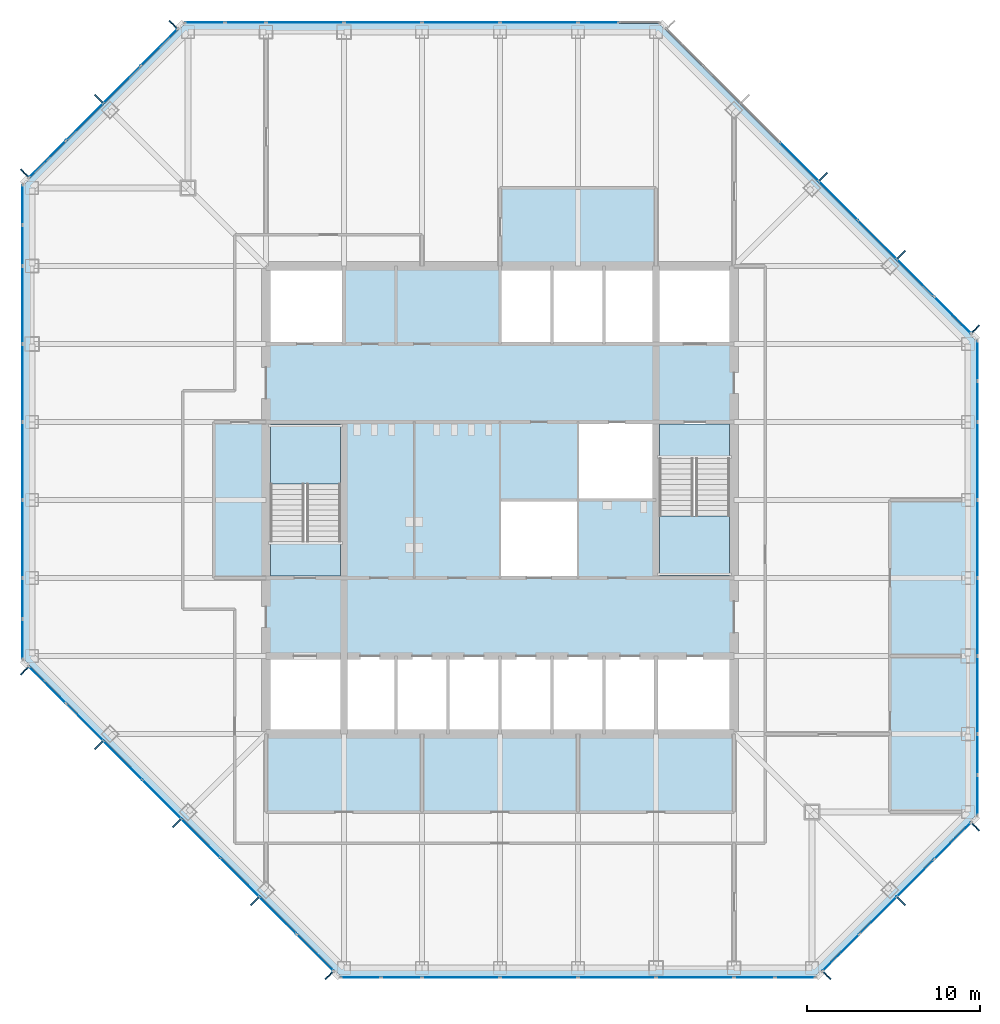
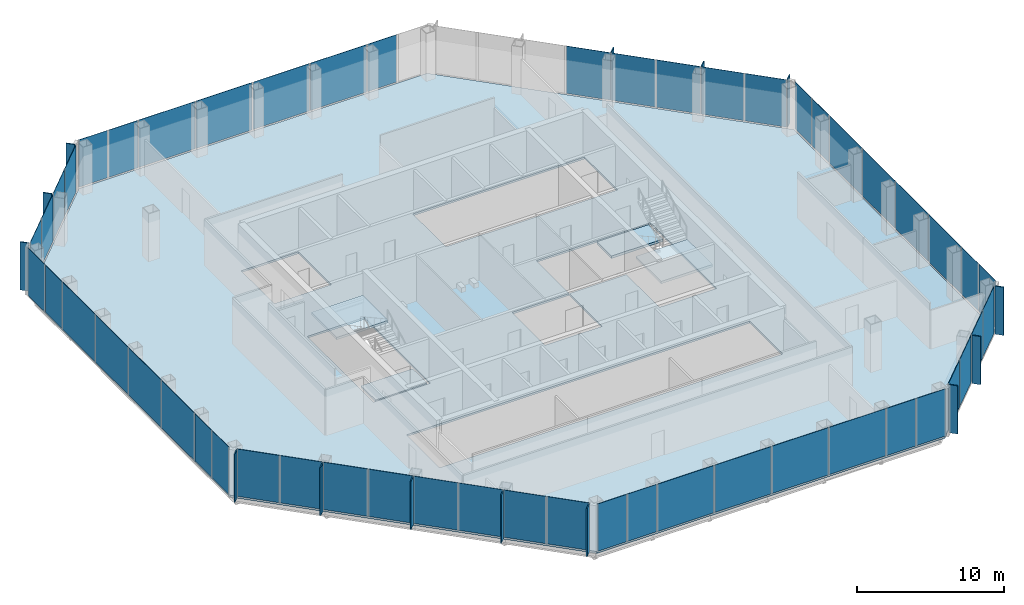
# One storey, part 7 of 12: 66 plates, 5 slabs, 10 elements without a shape of their own.
"""IFC4 building model written with IfcOpenShell, lengths in metres."""

from ifc_helpers import new_model, si_unit, direction, frame, origin, origin_2d, place, context, subcontext, project, spatial, polyline, rectangle, outline, extrude, material, layer, layer_set, type_object, element, aggregate, save


model = new_model("IFC4")

# Units and contexts
model_context = context("Model", 3, precision=1e-05, world=origin(), true_north=direction((0.0, 1.0)))
body_context = subcontext(model_context, "Body", "Model", "MODEL_VIEW")
ifc_project = project(units=[si_unit("LENGTHUNIT", "METRE"), si_unit("AREAUNIT", "SQUARE_METRE"), si_unit("VOLUMEUNIT", "CUBIC_METRE"), si_unit("PLANEANGLEUNIT", "RADIAN"), si_unit("MASSUNIT", "GRAM", prefix="KILO")], contexts=[model_context])

# Site, building, storey
site_placement = place(None, origin())
site = spatial("IfcSite", under=ifc_project, at=site_placement, CompositionType="ELEMENT")
building_placement = place(site_placement, origin())
building = spatial("IfcBuilding", under=site, at=building_placement, Name="Corais Broadcast Tower", CompositionType="ELEMENT")
storey_placement = place(building_placement, frame((0.0, 0.0, 135.60009765625)))
storey = spatial("IfcBuildingStorey", under=building, at=storey_placement, Name="L30", CompositionType="ELEMENT", Elevation=135.60009765625)

# Slab
ifc_material_1 = material(Name="Concrete C30/37", Category="concrete")
ifc_layer_1 = layer(ifc_material_1, 0.159912109375)
ifc_layer_set_1 = layer_set([ifc_layer_1], Name="Concrete C30/37")
slab_type_1 = type_object("IfcSlabType", Name="Composite floor slab 160", PredefinedType="FLOOR", material=ifc_layer_set_1)
slab_1_placement = place(storey_placement, frame((0.0, 0.0, -0.16015625)))
element("IfcSlab", 1, at=slab_1_placement, inside=storey, type_object=slab_type_1, Name="S160 floor slab L30", PredefinedType="FLOOR", context=body_context, shape_type="SweptSolid", body=[
    extrude(outline(polyline([(17.80126953125, -0.47998046875), (-0.47998046875, 17.80126953125), (-0.47998046875, 45.19873046875), (8.80126953125, 54.47998046875), (36.19873046875, 54.47998046875), (54.47998046875, 36.19873046875), (54.47998046875, 8.80126953125), (45.19873046875, -0.47998046875), (17.80126953125, -0.47998046875)]), holes=[polyline([(13.5, 18.0), (40.5, 18.0), (40.5, 13.5), (13.5, 13.5), (13.5, 18.0)]), polyline([(18.0, 22.5), (13.5, 22.5), (13.5, 31.5), (18.0, 31.5), (18.0, 22.5)]), polyline([(18.0, 36.0), (13.5, 36.0), (13.5, 40.5), (18.0, 40.5), (18.0, 36.0)]), polyline([(31.5, 22.5), (27.0, 22.5), (27.0, 27.0), (31.4951171875, 27.0), (31.4951171875, 27.0048828125), (31.5, 27.0048828125), (31.5, 31.5), (40.5, 31.5), (40.5, 22.5), (36.0, 22.5), (36.0, 27.0), (31.5048828125, 27.0), (31.5048828125, 26.9951171875), (31.5, 26.9951171875), (31.5, 22.5)]), polyline([(27.0, 40.5), (40.5, 40.5), (40.5, 36.0), (27.0, 36.0), (27.0, 40.5)])]), origin(), (0.0, 0.0, 1.0), 0.16015625),
])

# Curtain wall, plates
ifc_material_2 = material(Name="Aluminium and glass", Category="aluminium")
curtain_wall_type = type_object("IfcCurtainWallType", Name="Unitised fritted curtain wall CW2", PredefinedType="NOTDEFINED", material=ifc_material_2)
curtain_wall_1_placement = place(storey_placement, origin())
curtain_wall_1 = element("IfcCurtainWall", 2, at=curtain_wall_1_placement, inside=storey, type_object=curtain_wall_type, Name="CW2 curtain wall L30 1", PredefinedType="NOTDEFINED")
ifc_material_3 = material(Name="Ceramic-fritted laminated glass", Category="glass")
ifc_layer_2 = layer(ifc_material_3, 0.028076171875)
ifc_layer_set_2 = layer_set([ifc_layer_2], Name="Ceramic-fritted laminated glass")
plate_type_1 = type_object("IfcPlateType", Name="Fritted glass panel CW2", PredefinedType="CURTAIN_PANEL", material=ifc_layer_set_2)
plate_1_placement = place(storey_placement, frame((16.330322265625, 0.891845703125, 0.06494140625), z_axis=(0.0, 0.0, 1.0), x_axis=(-0.707106781187, 0.707106781187, 0.0)))
plate_1 = element("IfcPlate", 3, at=plate_1_placement, type_object=plate_type_1, Name="CW2 panel 1", PredefinedType="CURTAIN_PANEL", context=body_context, shape_type="SweptSolid", body=[
    extrude(rectangle(XDim=2.9482421875, YDim=0.028076171875, at=origin_2d()), origin(), (0.0, 0.0, 1.0), 3.93505859375),
])
plate_2_placement = place(storey_placement, frame((11.986083984375, 5.236083984375, 0.06494140625), z_axis=(0.0, 0.0, 1.0), x_axis=(-0.707106781187, 0.707106781187, 0.0)))
plate_2 = element("IfcPlate", 4, at=plate_2_placement, type_object=plate_type_1, Name="CW2 panel 3", PredefinedType="CURTAIN_PANEL", context=body_context, shape_type="SweptSolid", body=[
    extrude(rectangle(XDim=3.116943359375, YDim=0.028076171875, at=origin_2d()), origin(), (0.0, 0.0, 1.0), 3.93505859375),
])
plate_3_placement = place(storey_placement, frame((7.486083984375, 9.736083984375, 0.06494140625), z_axis=(0.0, 0.0, 1.0), x_axis=(-0.707106781187, 0.707106781187, 0.0)))
plate_3 = element("IfcPlate", 5, at=plate_3_placement, type_object=plate_type_1, Name="CW2 panel 5", PredefinedType="CURTAIN_PANEL", context=body_context, shape_type="SweptSolid", body=[
    extrude(rectangle(XDim=3.116943359375, YDim=0.028076171875, at=origin_2d()), origin(), (0.0, 0.0, 1.0), 3.93505859375),
])
plate_4_placement = place(storey_placement, frame((3.0341796875, 14.18798828125, 0.06494140625), z_axis=(0.0, 0.0, 1.0), x_axis=(-0.707106781187, 0.707106781187, 0.0)))
plate_4 = element("IfcPlate", 6, at=plate_4_placement, type_object=plate_type_1, Name="CW2 panel 7", PredefinedType="CURTAIN_PANEL", context=body_context, shape_type="SweptSolid", body=[
    extrude(rectangle(XDim=2.98095703125, YDim=0.028076171875, at=origin_2d()), origin(), (0.0, 0.0, 1.0), 3.93505859375),
])

curtain_wall_2_placement = place(storey_placement, origin())
curtain_wall_2 = element("IfcCurtainWall", 7, at=curtain_wall_2_placement, inside=storey, type_object=curtain_wall_type, Name="CW2 curtain wall L30 2", PredefinedType="NOTDEFINED")
plate_5_placement = place(storey_placement, frame((-0.550048828125, 18.970458984375, 0.06494140625), z_axis=(0.0, 0.0, 1.0), x_axis=(0.0, 1.0, 0.0)))
plate_5 = element("IfcPlate", 8, at=plate_5_placement, type_object=plate_type_1, Name="CW2 panel 1", PredefinedType="CURTAIN_PANEL", context=body_context, shape_type="SweptSolid", body=[
    extrude(rectangle(XDim=2.266357421875, YDim=0.028076171875, at=origin_2d()), origin(), (0.0, 0.0, 1.0), 3.93505859375),
])
plate_6_placement = place(storey_placement, frame((-0.550048828125, 24.75, 0.06494140625), z_axis=(0.0, 0.0, 1.0), x_axis=(0.0, 1.0, 0.0)))
plate_6 = element("IfcPlate", 9, at=plate_6_placement, type_object=plate_type_1, Name="CW2 panel 3", PredefinedType="CURTAIN_PANEL", context=body_context, shape_type="SweptSolid", body=[
    extrude(rectangle(XDim=4.43505859375, YDim=0.028076171875, at=origin_2d()), origin(), (0.0, 0.0, 1.0), 3.93505859375),
])
plate_7_placement = place(storey_placement, frame((-0.550048828125, 33.75, 0.06494140625), z_axis=(0.0, 0.0, 1.0), x_axis=(0.0, 1.0, 0.0)))
plate_7 = element("IfcPlate", 10, at=plate_7_placement, type_object=plate_type_1, Name="CW2 panel 5", PredefinedType="CURTAIN_PANEL", context=body_context, shape_type="SweptSolid", body=[
    extrude(rectangle(XDim=4.43505859375, YDim=0.028076171875, at=origin_2d()), origin(), (0.0, 0.0, 1.0), 3.93505859375),
])
plate_8_placement = place(storey_placement, frame((-0.550048828125, 41.681884765625, 0.06494140625), z_axis=(0.0, 0.0, 1.0), x_axis=(0.0, 1.0, 0.0)))
plate_8 = element("IfcPlate", 11, at=plate_8_placement, type_object=plate_type_1, Name="CW2 panel 7", PredefinedType="CURTAIN_PANEL", context=body_context, shape_type="SweptSolid", body=[
    extrude(rectangle(XDim=2.298828125, YDim=0.028076171875, at=origin_2d()), origin(), (0.0, 0.0, 1.0), 3.93505859375),
])

curtain_wall_3_placement = place(storey_placement, origin())
curtain_wall_3 = element("IfcCurtainWall", 12, at=curtain_wall_3_placement, inside=storey, type_object=curtain_wall_type, Name="CW2 curtain wall L30 3", PredefinedType="NOTDEFINED")
plate_9_placement = place(storey_placement, frame((0.891845703125, 46.669677734375, 0.06494140625), z_axis=(0.0, 0.0, 1.0), x_axis=(0.707106781187, 0.707106781187, 0.0)))
plate_9 = element("IfcPlate", 13, at=plate_9_placement, type_object=plate_type_1, Name="CW2 panel 1", PredefinedType="CURTAIN_PANEL", context=body_context, shape_type="SweptSolid", body=[
    extrude(rectangle(XDim=2.9482421875, YDim=0.028076171875, at=origin_2d()), origin(), (0.0, 0.0, 1.0), 3.93505859375),
])
plate_10_placement = place(storey_placement, frame((5.18798828125, 50.9658203125, 0.06494140625), z_axis=(0.0, 0.0, 1.0), x_axis=(0.707106781187, 0.707106781187, 0.0)))
plate_10 = element("IfcPlate", 14, at=plate_10_placement, type_object=plate_type_1, Name="CW2 panel 3", PredefinedType="CURTAIN_PANEL", context=body_context, shape_type="SweptSolid", body=[
    extrude(rectangle(XDim=2.98095703125, YDim=0.028076171875, at=origin_2d()), origin(), (0.0, 0.0, 1.0), 3.93505859375),
])

curtain_wall_4_placement = place(storey_placement, origin())
curtain_wall_4 = element("IfcCurtainWall", 15, at=curtain_wall_4_placement, inside=storey, type_object=curtain_wall_type, Name="CW2 curtain wall L30 4", PredefinedType="NOTDEFINED")
plate_11_placement = place(storey_placement, frame((9.970458984375, 54.550048828125, 0.06494140625), z_axis=(0.0, 0.0, 1.0), x_axis=(1.0, 0.0, 0.0)))
plate_11 = element("IfcPlate", 16, at=plate_11_placement, type_object=plate_type_1, Name="CW2 panel 1", PredefinedType="CURTAIN_PANEL", context=body_context, shape_type="SweptSolid", body=[
    extrude(rectangle(XDim=2.266357421875, YDim=0.028076171875, at=origin_2d()), origin(), (0.0, 0.0, 1.0), 3.93505859375),
])
plate_12_placement = place(storey_placement, frame((15.75, 54.550048828125, 0.06494140625), z_axis=(0.0, 0.0, 1.0), x_axis=(1.0, 0.0, 0.0)))
plate_12 = element("IfcPlate", 17, at=plate_12_placement, type_object=plate_type_1, Name="CW2 panel 3", PredefinedType="CURTAIN_PANEL", context=body_context, shape_type="SweptSolid", body=[
    extrude(rectangle(XDim=4.43505859375, YDim=0.028076171875, at=origin_2d()), origin(), (0.0, 0.0, 1.0), 3.93505859375),
])
plate_13_placement = place(storey_placement, frame((24.75, 54.550048828125, 0.06494140625), z_axis=(0.0, 0.0, 1.0), x_axis=(1.0, 0.0, 0.0)))
plate_13 = element("IfcPlate", 18, at=plate_13_placement, type_object=plate_type_1, Name="CW2 panel 5", PredefinedType="CURTAIN_PANEL", context=body_context, shape_type="SweptSolid", body=[
    extrude(rectangle(XDim=4.43505859375, YDim=0.028076171875, at=origin_2d()), origin(), (0.0, 0.0, 1.0), 3.93505859375),
])
plate_14_placement = place(storey_placement, frame((32.681884765625, 54.550048828125, 0.06494140625), z_axis=(0.0, 0.0, 1.0), x_axis=(1.0, 0.0, 0.0)))
plate_14 = element("IfcPlate", 19, at=plate_14_placement, type_object=plate_type_1, Name="CW2 panel 7", PredefinedType="CURTAIN_PANEL", context=body_context, shape_type="SweptSolid", body=[
    extrude(rectangle(XDim=2.298828125, YDim=0.028076171875, at=origin_2d()), origin(), (0.0, 0.0, 1.0), 3.93505859375),
])

curtain_wall_5_placement = place(storey_placement, origin())
curtain_wall_5 = element("IfcCurtainWall", 20, at=curtain_wall_5_placement, inside=storey, type_object=curtain_wall_type, Name="CW2 curtain wall L30 5", PredefinedType="NOTDEFINED")
plate_15_placement = place(storey_placement, frame((46.513916015625, 44.263916015625, 0.06494140625), z_axis=(0.0, 0.0, 1.0), x_axis=(0.707106781187, -0.707106781187, 0.0)))
plate_15 = element("IfcPlate", 21, at=plate_15_placement, type_object=plate_type_1, Name="CW2 panel 5", PredefinedType="CURTAIN_PANEL", context=body_context, shape_type="SweptSolid", body=[
    extrude(rectangle(XDim=3.116943359375, YDim=0.028076171875, at=origin_2d()), origin(), (0.0, 0.0, 1.0), 3.93505859375),
])
plate_16_placement = place(storey_placement, frame((50.9658203125, 39.81201171875, 0.06494140625), z_axis=(0.0, 0.0, 1.0), x_axis=(0.707106781187, -0.707106781187, 0.0)))
plate_16 = element("IfcPlate", 22, at=plate_16_placement, type_object=plate_type_1, Name="CW2 panel 7", PredefinedType="CURTAIN_PANEL", context=body_context, shape_type="SweptSolid", body=[
    extrude(rectangle(XDim=2.98095703125, YDim=0.028076171875, at=origin_2d()), origin(), (0.0, 0.0, 1.0), 3.93505859375),
])

curtain_wall_6_placement = place(storey_placement, origin())
curtain_wall_6 = element("IfcCurtainWall", 23, at=curtain_wall_6_placement, inside=storey, type_object=curtain_wall_type, Name="CW2 curtain wall L30 6", PredefinedType="NOTDEFINED")
plate_17_placement = place(storey_placement, frame((54.550048828125, 35.029541015625, 0.06494140625), z_axis=(0.0, 0.0, 1.0), x_axis=(0.0, -1.0, 0.0)))
plate_17 = element("IfcPlate", 24, at=plate_17_placement, type_object=plate_type_1, Name="CW2 panel 1", PredefinedType="CURTAIN_PANEL", context=body_context, shape_type="SweptSolid", body=[
    extrude(rectangle(XDim=2.266357421875, YDim=0.028076171875, at=origin_2d()), origin(), (0.0, 0.0, 1.0), 3.93505859375),
])
plate_18_placement = place(storey_placement, frame((54.550048828125, 29.25, 0.06494140625), z_axis=(0.0, 0.0, 1.0), x_axis=(0.0, -1.0, 0.0)))
plate_18 = element("IfcPlate", 25, at=plate_18_placement, type_object=plate_type_1, Name="CW2 panel 3", PredefinedType="CURTAIN_PANEL", context=body_context, shape_type="SweptSolid", body=[
    extrude(rectangle(XDim=4.43505859375, YDim=0.028076171875, at=origin_2d()), origin(), (0.0, 0.0, 1.0), 3.93505859375),
])
plate_19_placement = place(storey_placement, frame((54.550048828125, 20.25, 0.06494140625), z_axis=(0.0, 0.0, 1.0), x_axis=(0.0, -1.0, 0.0)))
plate_19 = element("IfcPlate", 26, at=plate_19_placement, type_object=plate_type_1, Name="CW2 panel 5", PredefinedType="CURTAIN_PANEL", context=body_context, shape_type="SweptSolid", body=[
    extrude(rectangle(XDim=4.43505859375, YDim=0.028076171875, at=origin_2d()), origin(), (0.0, 0.0, 1.0), 3.93505859375),
])
plate_20_placement = place(storey_placement, frame((54.550048828125, 12.318115234375, 0.06494140625), z_axis=(0.0, 0.0, 1.0), x_axis=(0.0, -1.0, 0.0)))
plate_20 = element("IfcPlate", 27, at=plate_20_placement, type_object=plate_type_1, Name="CW2 panel 7", PredefinedType="CURTAIN_PANEL", context=body_context, shape_type="SweptSolid", body=[
    extrude(rectangle(XDim=2.298828125, YDim=0.028076171875, at=origin_2d()), origin(), (0.0, 0.0, 1.0), 3.93505859375),
])

curtain_wall_7_placement = place(storey_placement, origin())
curtain_wall_7 = element("IfcCurtainWall", 28, at=curtain_wall_7_placement, inside=storey, type_object=curtain_wall_type, Name="CW2 curtain wall L30 7", PredefinedType="NOTDEFINED")
plate_21_placement = place(storey_placement, frame((53.108154296875, 7.330322265625, 0.06494140625), z_axis=(0.0, 0.0, 1.0), x_axis=(-0.707106781187, -0.707106781187, 0.0)))
plate_21 = element("IfcPlate", 29, at=plate_21_placement, type_object=plate_type_1, Name="CW2 panel 1", PredefinedType="CURTAIN_PANEL", context=body_context, shape_type="SweptSolid", body=[
    extrude(rectangle(XDim=2.9482421875, YDim=0.028076171875, at=origin_2d()), origin(), (0.0, 0.0, 1.0), 3.93505859375),
])
plate_22_placement = place(storey_placement, frame((48.81201171875, 3.0341796875, 0.06494140625), z_axis=(0.0, 0.0, 1.0), x_axis=(-0.707106781187, -0.707106781187, 0.0)))
plate_22 = element("IfcPlate", 30, at=plate_22_placement, type_object=plate_type_1, Name="CW2 panel 3", PredefinedType="CURTAIN_PANEL", context=body_context, shape_type="SweptSolid", body=[
    extrude(rectangle(XDim=2.98095703125, YDim=0.028076171875, at=origin_2d()), origin(), (0.0, 0.0, 1.0), 3.93505859375),
])

curtain_wall_8_placement = place(storey_placement, origin())
curtain_wall_8 = element("IfcCurtainWall", 31, at=curtain_wall_8_placement, inside=storey, type_object=curtain_wall_type, Name="CW2 curtain wall L30 8", PredefinedType="NOTDEFINED")
plate_23_placement = place(storey_placement, frame((44.029541015625, -0.550048828125, 0.06494140625), z_axis=(0.0, 0.0, 1.0), x_axis=(-1.0, 0.0, 0.0)))
plate_23 = element("IfcPlate", 32, at=plate_23_placement, type_object=plate_type_1, Name="CW2 panel 1", PredefinedType="CURTAIN_PANEL", context=body_context, shape_type="SweptSolid", body=[
    extrude(rectangle(XDim=2.266357421875, YDim=0.028076171875, at=origin_2d()), origin(), (0.0, 0.0, 1.0), 3.93505859375),
])
plate_24_placement = place(storey_placement, frame((38.25, -0.550048828125, 0.06494140625), z_axis=(0.0, 0.0, 1.0), x_axis=(-1.0, 0.0, 0.0)))
plate_24 = element("IfcPlate", 33, at=plate_24_placement, type_object=plate_type_1, Name="CW2 panel 3", PredefinedType="CURTAIN_PANEL", context=body_context, shape_type="SweptSolid", body=[
    extrude(rectangle(XDim=4.43505859375, YDim=0.028076171875, at=origin_2d()), origin(), (0.0, 0.0, 1.0), 3.93505859375),
])
plate_25_placement = place(storey_placement, frame((29.25, -0.550048828125, 0.06494140625), z_axis=(0.0, 0.0, 1.0), x_axis=(-1.0, 0.0, 0.0)))
plate_25 = element("IfcPlate", 34, at=plate_25_placement, type_object=plate_type_1, Name="CW2 panel 5", PredefinedType="CURTAIN_PANEL", context=body_context, shape_type="SweptSolid", body=[
    extrude(rectangle(XDim=4.43505859375, YDim=0.028076171875, at=origin_2d()), origin(), (0.0, 0.0, 1.0), 3.93505859375),
])
plate_26_placement = place(storey_placement, frame((21.318115234375, -0.550048828125, 0.06494140625), z_axis=(0.0, 0.0, 1.0), x_axis=(-1.0, 0.0, 0.0)))
plate_26 = element("IfcPlate", 35, at=plate_26_placement, type_object=plate_type_1, Name="CW2 panel 7", PredefinedType="CURTAIN_PANEL", context=body_context, shape_type="SweptSolid", body=[
    extrude(rectangle(XDim=2.298828125, YDim=0.028076171875, at=origin_2d()), origin(), (0.0, 0.0, 1.0), 3.93505859375),
])

# Plate
ifc_material_4 = material(Name="Clear laminated glass", Category="glass")
ifc_layer_3 = layer(ifc_material_4, 0.031982421875)
ifc_layer_set_3 = layer_set([ifc_layer_3], Name="Clear laminated glass")
plate_type_2 = type_object("IfcPlateType", Name="Operable glass panel CW2", PredefinedType="CURTAIN_PANEL", material=ifc_layer_set_3)
plate_27_placement = place(storey_placement, frame((14.18798828125, 3.0341796875, 0.06494140625), z_axis=(0.0, 0.0, 1.0), x_axis=(-0.707106781187, 0.707106781187, 0.0)))
plate_27 = element("IfcPlate", 36, at=plate_27_placement, type_object=plate_type_2, Name="CW2 operable panel 2", PredefinedType="CURTAIN_PANEL", context=body_context, shape_type="SweptSolid", body=[
    extrude(rectangle(XDim=2.98095703125, YDim=0.031982421875, at=origin_2d()), origin(), (0.0, 0.0, 1.0), 3.93505859375),
])

plate_28_placement = place(storey_placement, frame((9.736083984375, 7.486083984375, 0.06494140625), z_axis=(0.0, 0.0, 1.0), x_axis=(-0.707106781187, 0.707106781187, 0.0)))
plate_28 = element("IfcPlate", 37, at=plate_28_placement, type_object=plate_type_2, Name="CW2 operable panel 4", PredefinedType="CURTAIN_PANEL", context=body_context, shape_type="SweptSolid", body=[
    extrude(rectangle(XDim=3.116943359375, YDim=0.031982421875, at=origin_2d()), origin(), (0.0, 0.0, 1.0), 3.93505859375),
])

plate_29_placement = place(storey_placement, frame((5.236083984375, 11.986083984375, 0.06494140625), z_axis=(0.0, 0.0, 1.0), x_axis=(-0.707106781187, 0.707106781187, 0.0)))
plate_29 = element("IfcPlate", 38, at=plate_29_placement, type_object=plate_type_2, Name="CW2 operable panel 6", PredefinedType="CURTAIN_PANEL", context=body_context, shape_type="SweptSolid", body=[
    extrude(rectangle(XDim=3.116943359375, YDim=0.031982421875, at=origin_2d()), origin(), (0.0, 0.0, 1.0), 3.93505859375),
])

plate_30_placement = place(storey_placement, frame((0.89208984375, 16.330322265625, 0.06494140625), z_axis=(0.0, 0.0, 1.0), x_axis=(-0.707106781187, 0.707106781187, 0.0)))
plate_30 = element("IfcPlate", 39, at=plate_30_placement, type_object=plate_type_2, Name="CW2 operable panel 8", PredefinedType="CURTAIN_PANEL", context=body_context, shape_type="SweptSolid", body=[
    extrude(rectangle(XDim=2.948486328125, YDim=0.031982421875, at=origin_2d()), origin(), (0.0, 0.0, 1.0), 3.93505859375),
])

aggregate(curtain_wall_1, [plate_1, plate_27, plate_2, plate_28, plate_3, plate_29, plate_4, plate_30])

plate_31_placement = place(storey_placement, frame((-0.550048828125, 21.318115234375, 0.06494140625), z_axis=(0.0, 0.0, 1.0), x_axis=(0.0, 1.0, 0.0)))
plate_31 = element("IfcPlate", 40, at=plate_31_placement, type_object=plate_type_2, Name="CW2 operable panel 2", PredefinedType="CURTAIN_PANEL", context=body_context, shape_type="SweptSolid", body=[
    extrude(rectangle(XDim=2.298828125, YDim=0.031982421875, at=origin_2d()), origin(), (0.0, 0.0, 1.0), 3.93505859375),
])

plate_32_placement = place(storey_placement, frame((-0.550048828125, 29.25, 0.06494140625), z_axis=(0.0, 0.0, 1.0), x_axis=(0.0, 1.0, 0.0)))
plate_32 = element("IfcPlate", 41, at=plate_32_placement, type_object=plate_type_2, Name="CW2 operable panel 4", PredefinedType="CURTAIN_PANEL", context=body_context, shape_type="SweptSolid", body=[
    extrude(rectangle(XDim=4.43505859375, YDim=0.031982421875, at=origin_2d()), origin(), (0.0, 0.0, 1.0), 3.93505859375),
])

plate_33_placement = place(storey_placement, frame((-0.550048828125, 38.25, 0.06494140625), z_axis=(0.0, 0.0, 1.0), x_axis=(0.0, 1.0, 0.0)))
plate_33 = element("IfcPlate", 42, at=plate_33_placement, type_object=plate_type_2, Name="CW2 operable panel 6", PredefinedType="CURTAIN_PANEL", context=body_context, shape_type="SweptSolid", body=[
    extrude(rectangle(XDim=4.43505859375, YDim=0.031982421875, at=origin_2d()), origin(), (0.0, 0.0, 1.0), 3.93505859375),
])

plate_34_placement = place(storey_placement, frame((-0.550048828125, 44.029541015625, 0.06494140625), z_axis=(0.0, 0.0, 1.0), x_axis=(0.0, 1.0, 0.0)))
plate_34 = element("IfcPlate", 43, at=plate_34_placement, type_object=plate_type_2, Name="CW2 operable panel 8", PredefinedType="CURTAIN_PANEL", context=body_context, shape_type="SweptSolid", body=[
    extrude(rectangle(XDim=2.266357421875, YDim=0.031982421875, at=origin_2d()), origin(), (0.0, 0.0, 1.0), 3.93505859375),
])

aggregate(curtain_wall_2, [plate_5, plate_31, plate_6, plate_32, plate_7, plate_33, plate_8, plate_34])

plate_35_placement = place(storey_placement, frame((3.0341796875, 48.81201171875, 0.06494140625), z_axis=(0.0, 0.0, 1.0), x_axis=(0.707106781187, 0.707106781187, 0.0)))
plate_35 = element("IfcPlate", 44, at=plate_35_placement, type_object=plate_type_2, Name="CW2 operable panel 2", PredefinedType="CURTAIN_PANEL", context=body_context, shape_type="SweptSolid", body=[
    extrude(rectangle(XDim=2.98095703125, YDim=0.031982421875, at=origin_2d()), origin(), (0.0, 0.0, 1.0), 3.93505859375),
])

plate_36_placement = place(storey_placement, frame((7.330322265625, 53.10791015625, 0.06494140625), z_axis=(0.0, 0.0, 1.0), x_axis=(0.707106781187, 0.707106781187, 0.0)))
plate_36 = element("IfcPlate", 45, at=plate_36_placement, type_object=plate_type_2, Name="CW2 operable panel 4", PredefinedType="CURTAIN_PANEL", context=body_context, shape_type="SweptSolid", body=[
    extrude(rectangle(XDim=2.948486328125, YDim=0.031982421875, at=origin_2d()), origin(), (0.0, 0.0, 1.0), 3.93505859375),
])

aggregate(curtain_wall_3, [plate_9, plate_35, plate_10, plate_36])

plate_37_placement = place(storey_placement, frame((12.318115234375, 54.550048828125, 0.06494140625), z_axis=(0.0, 0.0, 1.0), x_axis=(1.0, 0.0, 0.0)))
plate_37 = element("IfcPlate", 46, at=plate_37_placement, type_object=plate_type_2, Name="CW2 operable panel 2", PredefinedType="CURTAIN_PANEL", context=body_context, shape_type="SweptSolid", body=[
    extrude(rectangle(XDim=2.298828125, YDim=0.031982421875, at=origin_2d()), origin(), (0.0, 0.0, 1.0), 3.93505859375),
])

plate_38_placement = place(storey_placement, frame((20.25, 54.550048828125, 0.06494140625), z_axis=(0.0, 0.0, 1.0), x_axis=(1.0, 0.0, 0.0)))
plate_38 = element("IfcPlate", 47, at=plate_38_placement, type_object=plate_type_2, Name="CW2 operable panel 4", PredefinedType="CURTAIN_PANEL", context=body_context, shape_type="SweptSolid", body=[
    extrude(rectangle(XDim=4.43505859375, YDim=0.031982421875, at=origin_2d()), origin(), (0.0, 0.0, 1.0), 3.93505859375),
])

plate_39_placement = place(storey_placement, frame((29.25, 54.550048828125, 0.06494140625), z_axis=(0.0, 0.0, 1.0), x_axis=(1.0, 0.0, 0.0)))
plate_39 = element("IfcPlate", 48, at=plate_39_placement, type_object=plate_type_2, Name="CW2 operable panel 6", PredefinedType="CURTAIN_PANEL", context=body_context, shape_type="SweptSolid", body=[
    extrude(rectangle(XDim=4.43505859375, YDim=0.031982421875, at=origin_2d()), origin(), (0.0, 0.0, 1.0), 3.93505859375),
])

aggregate(curtain_wall_4, [plate_11, plate_37, plate_12, plate_38, plate_13, plate_39, plate_14])

plate_40_placement = place(storey_placement, frame((44.263916015625, 46.513916015625, 0.06494140625), z_axis=(0.0, 0.0, 1.0), x_axis=(0.707106781187, -0.707106781187, 0.0)))
plate_40 = element("IfcPlate", 49, at=plate_40_placement, type_object=plate_type_2, Name="CW2 operable panel 4", PredefinedType="CURTAIN_PANEL", context=body_context, shape_type="SweptSolid", body=[
    extrude(rectangle(XDim=3.116943359375, YDim=0.031982421875, at=origin_2d()), origin(), (0.0, 0.0, 1.0), 3.93505859375),
])

plate_41_placement = place(storey_placement, frame((48.763916015625, 42.013916015625, 0.06494140625), z_axis=(0.0, 0.0, 1.0), x_axis=(0.707106781187, -0.707106781187, 0.0)))
plate_41 = element("IfcPlate", 50, at=plate_41_placement, type_object=plate_type_2, Name="CW2 operable panel 6", PredefinedType="CURTAIN_PANEL", context=body_context, shape_type="SweptSolid", body=[
    extrude(rectangle(XDim=3.116943359375, YDim=0.031982421875, at=origin_2d()), origin(), (0.0, 0.0, 1.0), 3.93505859375),
])

plate_42_placement = place(storey_placement, frame((53.10791015625, 37.669677734375, 0.06494140625), z_axis=(0.0, 0.0, 1.0), x_axis=(0.707106781187, -0.707106781187, 0.0)))
plate_42 = element("IfcPlate", 51, at=plate_42_placement, type_object=plate_type_2, Name="CW2 operable panel 8", PredefinedType="CURTAIN_PANEL", context=body_context, shape_type="SweptSolid", body=[
    extrude(rectangle(XDim=2.948486328125, YDim=0.031982421875, at=origin_2d()), origin(), (0.0, 0.0, 1.0), 3.93505859375),
])

aggregate(curtain_wall_5, [plate_40, plate_15, plate_41, plate_16, plate_42])

plate_43_placement = place(storey_placement, frame((54.550048828125, 32.681884765625, 0.06494140625), z_axis=(0.0, 0.0, 1.0), x_axis=(0.0, -1.0, 0.0)))
plate_43 = element("IfcPlate", 52, at=plate_43_placement, type_object=plate_type_2, Name="CW2 operable panel 2", PredefinedType="CURTAIN_PANEL", context=body_context, shape_type="SweptSolid", body=[
    extrude(rectangle(XDim=2.298828125, YDim=0.031982421875, at=origin_2d()), origin(), (0.0, 0.0, 1.0), 3.93505859375),
])

plate_44_placement = place(storey_placement, frame((54.550048828125, 24.75, 0.06494140625), z_axis=(0.0, 0.0, 1.0), x_axis=(0.0, -1.0, 0.0)))
plate_44 = element("IfcPlate", 53, at=plate_44_placement, type_object=plate_type_2, Name="CW2 operable panel 4", PredefinedType="CURTAIN_PANEL", context=body_context, shape_type="SweptSolid", body=[
    extrude(rectangle(XDim=4.43505859375, YDim=0.031982421875, at=origin_2d()), origin(), (0.0, 0.0, 1.0), 3.93505859375),
])

plate_45_placement = place(storey_placement, frame((54.550048828125, 15.75, 0.06494140625), z_axis=(0.0, 0.0, 1.0), x_axis=(0.0, -1.0, 0.0)))
plate_45 = element("IfcPlate", 54, at=plate_45_placement, type_object=plate_type_2, Name="CW2 operable panel 6", PredefinedType="CURTAIN_PANEL", context=body_context, shape_type="SweptSolid", body=[
    extrude(rectangle(XDim=4.43505859375, YDim=0.031982421875, at=origin_2d()), origin(), (0.0, 0.0, 1.0), 3.93505859375),
])

plate_46_placement = place(storey_placement, frame((54.550048828125, 9.970458984375, 0.06494140625), z_axis=(0.0, 0.0, 1.0), x_axis=(0.0, -1.0, 0.0)))
plate_46 = element("IfcPlate", 55, at=plate_46_placement, type_object=plate_type_2, Name="CW2 operable panel 8", PredefinedType="CURTAIN_PANEL", context=body_context, shape_type="SweptSolid", body=[
    extrude(rectangle(XDim=2.266357421875, YDim=0.031982421875, at=origin_2d()), origin(), (0.0, 0.0, 1.0), 3.93505859375),
])

aggregate(curtain_wall_6, [plate_17, plate_43, plate_18, plate_44, plate_19, plate_45, plate_20, plate_46])

plate_47_placement = place(storey_placement, frame((50.9658203125, 5.18798828125, 0.06494140625), z_axis=(0.0, 0.0, 1.0), x_axis=(-0.707106781187, -0.707106781187, 0.0)))
plate_47 = element("IfcPlate", 56, at=plate_47_placement, type_object=plate_type_2, Name="CW2 operable panel 2", PredefinedType="CURTAIN_PANEL", context=body_context, shape_type="SweptSolid", body=[
    extrude(rectangle(XDim=2.98095703125, YDim=0.031982421875, at=origin_2d()), origin(), (0.0, 0.0, 1.0), 3.93505859375),
])

plate_48_placement = place(storey_placement, frame((46.669677734375, 0.89208984375, 0.06494140625), z_axis=(0.0, 0.0, 1.0), x_axis=(-0.707106781187, -0.707106781187, 0.0)))
plate_48 = element("IfcPlate", 57, at=plate_48_placement, type_object=plate_type_2, Name="CW2 operable panel 4", PredefinedType="CURTAIN_PANEL", context=body_context, shape_type="SweptSolid", body=[
    extrude(rectangle(XDim=2.948486328125, YDim=0.031982421875, at=origin_2d()), origin(), (0.0, 0.0, 1.0), 3.93505859375),
])

aggregate(curtain_wall_7, [plate_21, plate_47, plate_22, plate_48])

plate_49_placement = place(storey_placement, frame((41.681884765625, -0.550048828125, 0.06494140625), z_axis=(0.0, 0.0, 1.0), x_axis=(-1.0, 0.0, 0.0)))
plate_49 = element("IfcPlate", 58, at=plate_49_placement, type_object=plate_type_2, Name="CW2 operable panel 2", PredefinedType="CURTAIN_PANEL", context=body_context, shape_type="SweptSolid", body=[
    extrude(rectangle(XDim=2.298828125, YDim=0.031982421875, at=origin_2d()), origin(), (0.0, 0.0, 1.0), 3.93505859375),
])

plate_50_placement = place(storey_placement, frame((33.75, -0.550048828125, 0.06494140625), z_axis=(0.0, 0.0, 1.0), x_axis=(-1.0, 0.0, 0.0)))
plate_50 = element("IfcPlate", 59, at=plate_50_placement, type_object=plate_type_2, Name="CW2 operable panel 4", PredefinedType="CURTAIN_PANEL", context=body_context, shape_type="SweptSolid", body=[
    extrude(rectangle(XDim=4.43505859375, YDim=0.031982421875, at=origin_2d()), origin(), (0.0, 0.0, 1.0), 3.93505859375),
])

plate_51_placement = place(storey_placement, frame((24.75, -0.550048828125, 0.06494140625), z_axis=(0.0, 0.0, 1.0), x_axis=(-1.0, 0.0, 0.0)))
plate_51 = element("IfcPlate", 60, at=plate_51_placement, type_object=plate_type_2, Name="CW2 operable panel 6", PredefinedType="CURTAIN_PANEL", context=body_context, shape_type="SweptSolid", body=[
    extrude(rectangle(XDim=4.43505859375, YDim=0.031982421875, at=origin_2d()), origin(), (0.0, 0.0, 1.0), 3.93505859375),
])

plate_52_placement = place(storey_placement, frame((18.970458984375, -0.550048828125, 0.06494140625), z_axis=(0.0, 0.0, 1.0), x_axis=(-1.0, 0.0, 0.0)))
plate_52 = element("IfcPlate", 61, at=plate_52_placement, type_object=plate_type_2, Name="CW2 operable panel 8", PredefinedType="CURTAIN_PANEL", context=body_context, shape_type="SweptSolid", body=[
    extrude(rectangle(XDim=2.266357421875, YDim=0.031982421875, at=origin_2d()), origin(), (0.0, 0.0, 1.0), 3.93505859375),
])

aggregate(curtain_wall_8, [plate_23, plate_49, plate_24, plate_50, plate_25, plate_51, plate_26, plate_52])

# Stair, slabs
ifc_material_5 = material(Name="Concrete C30/37", Category="concrete")
stair_type = type_object("IfcStairType", Name="Half-turn stair 4000", PredefinedType="HALF_TURN_STAIR", material=ifc_material_5)
stair_1_placement = place(storey_placement, origin())
stair_1 = element("IfcStair", 62, at=stair_1_placement, inside=storey, type_object=stair_type, Name="Stair A L30", PredefinedType="HALF_TURN_STAIR")
ifc_material_6 = material(Name="Concrete C30/37", Category="concrete")
ifc_layer_4 = layer(ifc_material_6, 0.199951171875)
ifc_layer_set_4 = layer_set([ifc_layer_4], Name="Concrete C30/37")
slab_type_2 = type_object("IfcSlabType", Name="Stair landing 200", PredefinedType="LANDING", material=ifc_layer_set_4)
slab_2_placement = place(storey_placement, frame((0.0, 0.0, -0.2001953125)))
slab_2 = element("IfcSlab", 63, at=slab_2_placement, type_object=slab_type_2, Name="STA landing 1", PredefinedType="LANDING", context=body_context, shape_type="SweptSolid", body=[
    extrude(outline(polyline([(13.75, 22.625), (17.800048828125, 22.625), (17.800048828125, 24.60009765625), (13.75, 24.60009765625), (13.75, 22.625)])), origin(), (0.0, 0.0, 1.0), 0.2001953125),
])
slab_3_placement = place(storey_placement, frame((0.0, 0.0, 1.7998046875)))
slab_3 = element("IfcSlab", 64, at=slab_3_placement, type_object=slab_type_2, Name="STA landing 2", PredefinedType="LANDING", context=body_context, shape_type="SweptSolid", body=[
    extrude(outline(polyline([(13.75, 27.922119140625), (17.800048828125, 27.922119140625), (17.800048828125, 31.375), (13.75, 31.375), (13.75, 27.922119140625)])), origin(), (0.0, 0.0, 1.0), 0.2001953125),
])
aggregate(stair_1, [slab_2, slab_3])

stair_2_placement = place(storey_placement, origin())
stair_2 = element("IfcStair", 65, at=stair_2_placement, inside=storey, type_object=stair_type, Name="Stair B L30", PredefinedType="HALF_TURN_STAIR")
slab_4_placement = place(storey_placement, frame((0.0, 0.0, -0.2001953125)))
slab_4 = element("IfcSlab", 66, at=slab_4_placement, type_object=slab_type_2, Name="STB landing 1", PredefinedType="LANDING", context=body_context, shape_type="SweptSolid", body=[
    extrude(outline(polyline([(36.199951171875, 29.39990234375), (40.25, 29.39990234375), (40.25, 31.375), (36.199951171875, 31.375), (36.199951171875, 29.39990234375)])), origin(), (0.0, 0.0, 1.0), 0.2001953125),
])
slab_5_placement = place(storey_placement, frame((0.0, 0.0, 1.7998046875)))
slab_5 = element("IfcSlab", 67, at=slab_5_placement, type_object=slab_type_2, Name="STB landing 2", PredefinedType="LANDING", context=body_context, shape_type="SweptSolid", body=[
    extrude(outline(polyline([(36.199951171875, 22.625), (40.25, 22.625), (40.25, 26.077880859375), (36.199951171875, 26.077880859375), (36.199951171875, 22.625)])), origin(), (0.0, 0.0, 1.0), 0.2001953125),
])
aggregate(stair_2, [slab_4, slab_5])

# Plates
ifc_material_7 = material(Name="Granite stone cladding", Category="masonry")
ifc_layer_5 = layer(ifc_material_7, 0.080078125)
ifc_layer_set_5 = layer_set([ifc_layer_5], Name="Granite stone cladding")
plate_type_3 = type_object("IfcPlateType", Name="Stone screen fin 80x600", PredefinedType="USERDEFINED", material=ifc_layer_set_5)
for number, where, z_axis, x_axis, name in (
    (68, (17.1220703125, -0.447021484375, 0.0), (0.0, 0.0, 1.0), (-0.707106781187, 0.707106781187, 0.0), "SF1 stone screen fin L30"),
    (69, (12.83740234375, 3.83740234375, 0.0), (0.0, 0.0, 1.0), (-0.707106781187, 0.707106781187, 0.0), "SF1 stone screen fin L30"),
    (70, (8.33740234375, 8.33740234375, 0.0), (0.0, 0.0, 1.0), (-0.707106781187, 0.707106781187, 0.0), "SF1 stone screen fin L30"),
    (71, (3.83740234375, 12.83740234375, 0.0), (0.0, 0.0, 1.0), (-0.707106781187, 0.707106781187, 0.0), "SF1 stone screen fin L30"),
    (72, (-0.447021484375, 17.1220703125, 0.0), (0.0, 0.0, 1.0), (-0.707106781187, 0.707106781187, 0.0), "SF1 stone screen fin L30"),
    (73, (-0.447021484375, 45.8779296875, 0.0), (0.0, 0.0, 1.0), (0.707106781187, 0.707106781187, 0.0), "SF1 stone screen fin L30"),
    (74, (3.83740234375, 50.16259765625, 0.0), (0.0, 0.0, 1.0), (0.707106781187, 0.707106781187, 0.0), "SF1 stone screen fin L30"),
    (75, (8.1220703125, 54.447021484375, 0.0), (0.0, 0.0, 1.0), (0.707106781187, 0.707106781187, 0.0), "SF1 stone screen fin L30"),
    (76, (45.66259765625, 45.66259765625, 0.0), (0.0, 0.0, 1.0), (0.707106781187, -0.707106781187, 0.0), "SF1 stone screen fin L30"),
    (77, (50.16259765625, 41.16259765625, 0.0), (0.0, 0.0, 1.0), (0.707106781187, -0.707106781187, 0.0), "SF1 stone screen fin L30"),
    (78, (54.447021484375, 36.8779296875, 0.0), (0.0, 0.0, 1.0), (0.707106781187, -0.707106781187, 0.0), "SF1 stone screen fin L30"),
    (79, (54.447021484375, 8.1220703125, 0.0), (0.0, 0.0, 1.0), (-0.707106781187, -0.707106781187, 0.0), "SF1 stone screen fin L30"),
    (80, (50.16259765625, 3.83740234375, 0.0), (0.0, 0.0, 1.0), (-0.707106781187, -0.707106781187, 0.0), "SF1 stone screen fin L30"),
    (81, (45.8779296875, -0.447021484375, 0.0), (0.0, 0.0, 1.0), (-0.707106781187, -0.707106781187, 0.0), "SF1 stone screen fin L30"),
):
    element("IfcPlate", number, at=place(storey_placement, frame(where, z_axis=z_axis, x_axis=x_axis)), inside=storey, type_object=plate_type_3, Name=name, ObjectType="STONE SCREEN FIN", PredefinedType="USERDEFINED", context=body_context, shape_type="SweptSolid", body=[
        extrude(rectangle(XDim=0.080078125, YDim=0.60009765625, at=origin_2d()), origin(), (0.0, 0.0, 1.0), 4.0),
    ])

save(model, "model.ifc")
